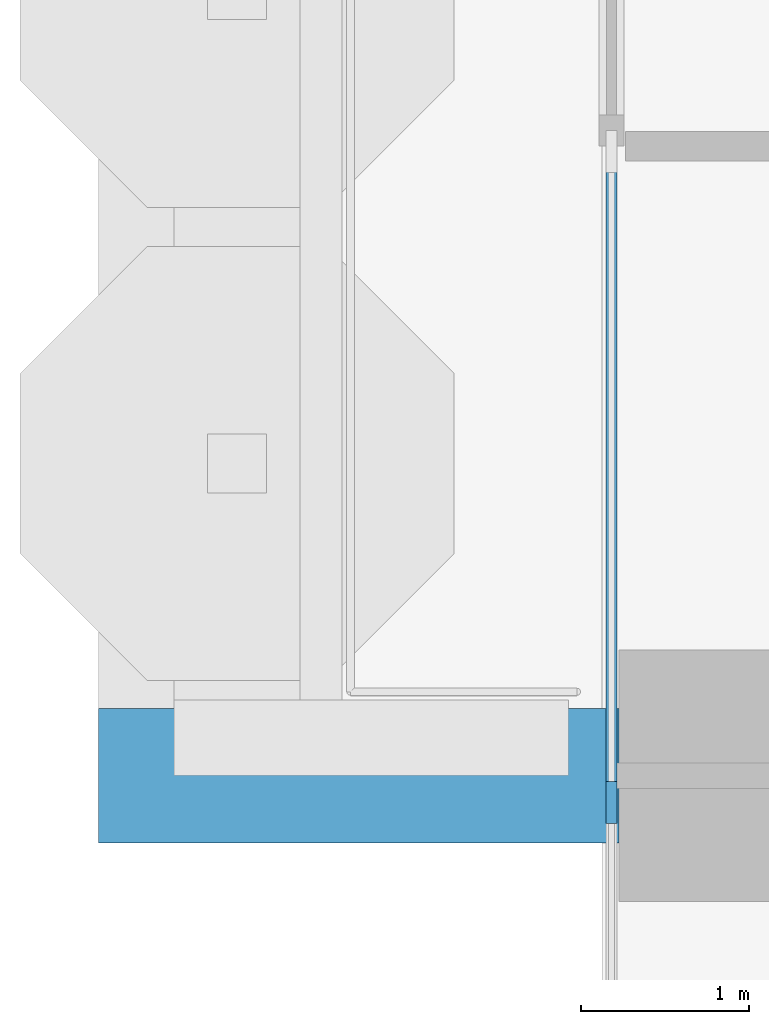
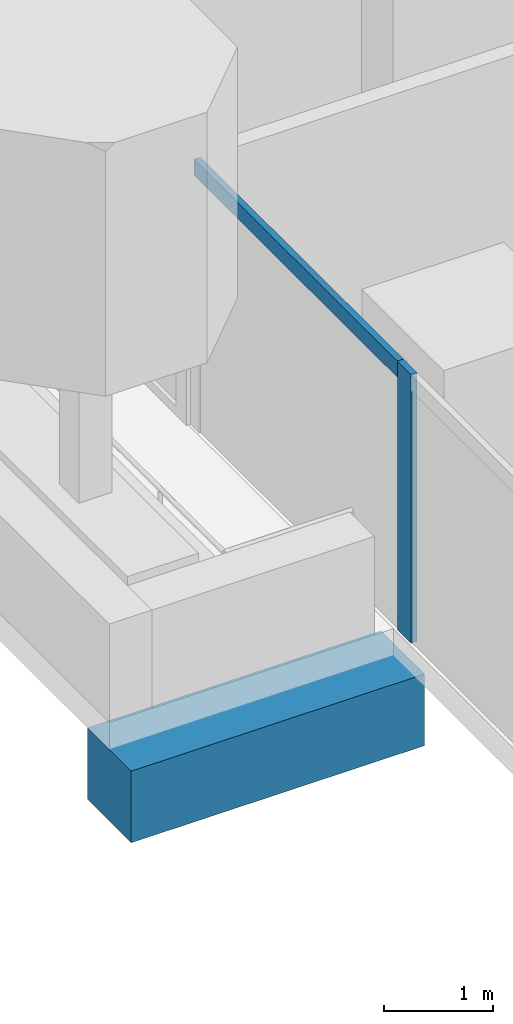
# One storey, part 3 of 19: 2 members, 1 beam, 1 element without a shape of its own.
"""IFC4 building model written with IfcOpenShell, lengths in metres."""

from ifc_helpers import new_model, si_unit, direction, frame, origin, origin_2d, place, context, subcontext, project, spatial, rectangle, extrude, material, material_profile, profile_set, type_object, element, aggregate, save


model = new_model("IFC4")

# Units and contexts
model_context = context("Model", 3, precision=1e-05, world=origin(), true_north=direction((0.0, 1.0)))
body_context = subcontext(model_context, "Body", "Model", "MODEL_VIEW")
ifc_project = project(units=[si_unit("LENGTHUNIT", "METRE"), si_unit("AREAUNIT", "SQUARE_METRE"), si_unit("VOLUMEUNIT", "CUBIC_METRE"), si_unit("PLANEANGLEUNIT", "RADIAN"), si_unit("MASSUNIT", "GRAM", prefix="KILO")], contexts=[model_context])

# Site, building, storey
site_placement = place(None, origin())
site = spatial("IfcSite", under=ifc_project, at=site_placement, CompositionType="ELEMENT")
building_placement = place(site_placement, origin())
building = spatial("IfcBuilding", under=site, at=building_placement, Name="Pilkhan Gate Tower", CompositionType="ELEMENT")
storey_placement = place(building_placement, frame((0.0, 0.0, 69.199951171875)))
storey = spatial("IfcBuildingStorey", under=building, at=storey_placement, Name="L15", CompositionType="ELEMENT", Elevation=69.199951171875)

# Beam
ifc_material_1 = material(Name="Concrete C50/60", Category="concrete")
ifc_material_profile_1 = material_profile(ifc_material_1, rectangle(XDim=0.800048828125, YDim=0.800048828125, at=origin_2d()), Name="RC 800x800")
ifc_profile_set_1 = profile_set([ifc_material_profile_1], Name="Concrete C50/60")
beam_type = type_object("IfcBeamType", Name="Cantilever beam CB2 RC 800x800 C50/60", PredefinedType="BEAM", material=ifc_profile_set_1)
beam_placement = place(storey_placement, frame((48.0, 67.5, -0.699951171875), z_axis=(-1.0, 0.0, 0.0), x_axis=(0.0, -1.0, 0.0)))
element("IfcBeam", 1, at=beam_placement, inside=storey, type_object=beam_type, Name="Balcony beam W.1 L15", PredefinedType="BEAM", context=body_context, shape_type="SweptSolid", body=[
    extrude(rectangle(XDim=0.800048828125, YDim=0.800048828125, at=origin_2d()), origin(), (0.0, 0.0, 1.0), 3.10009765625),
])

# Curtain wall, members
ifc_material_2 = material(Name="Pale anodised aluminium, clear low-iron double glazing", Category="aluminium")
curtain_wall_type = type_object("IfcCurtainWallType", Name="Hotel unitised curtain wall CW-H", PredefinedType="USERDEFINED", material=ifc_material_2)
curtain_wall_placement = place(storey_placement, origin())
curtain_wall = element("IfcCurtainWall", 2, at=curtain_wall_placement, inside=storey, type_object=curtain_wall_type, Name="Hotel unitised curtain wall CW-H L15 W", ObjectType="UNITISED CURTAIN WALL", PredefinedType="USERDEFINED")
ifc_material_3 = material(Name="Pale anodised aluminium", Category="aluminium")
ifc_material_profile_2 = material_profile(ifc_material_3, rectangle(XDim=0.06494140625, YDim=0.25, at=origin_2d()), Name="Mullion 250x65")
ifc_profile_set_2 = profile_set([ifc_material_profile_2], Name="Pale anodised aluminium")
member_type_1 = type_object("IfcMemberType", Name="Mullion CW-H 250x65", PredefinedType="MULLION", material=ifc_profile_set_2)
member_1_placement = place(storey_placement, frame((47.955078125, 67.341064453125, 0.0), z_axis=(0.0, 0.0, 1.0), x_axis=(-1.0, 0.0, 0.0)))
member_1 = element("IfcMember", 3, at=member_1_placement, type_object=member_type_1, Name="CW-H mullion 2", PredefinedType="MULLION", context=body_context, shape_type="SweptSolid", body=[
    extrude(rectangle(XDim=0.06494140625, YDim=0.25, at=origin_2d()), origin(), (0.0, 0.0, 1.0), 3.0),
])
ifc_material_profile_3 = material_profile(ifc_material_3, rectangle(XDim=0.06494140625, YDim=0.179931640625, at=origin_2d()), Name="Transom 180x65")
ifc_profile_set_3 = profile_set([ifc_material_profile_3], Name="Pale anodised aluminium")
member_type_2 = type_object("IfcMemberType", Name="Transom CW-H 180x65", PredefinedType="USERDEFINED", material=ifc_profile_set_3)
member_2_placement = place(storey_placement, frame((47.955078125, 67.37353515625, 2.91015625), z_axis=(0.0, 1.0, 0.0), x_axis=(-1.0, 0.0, 0.0)))
member_2 = element("IfcMember", 4, at=member_2_placement, type_object=member_type_2, Name="CW-H transom 2", ObjectType="TRANSOM", PredefinedType="USERDEFINED", context=body_context, shape_type="SweptSolid", body=[
    extrude(rectangle(XDim=0.06494140625, YDim=0.179931640625, at=origin_2d()), origin(), (0.0, 0.0, 1.0), 3.8115234375),
])
aggregate(curtain_wall, [member_1, member_2])

save(model, "model.ifc")
